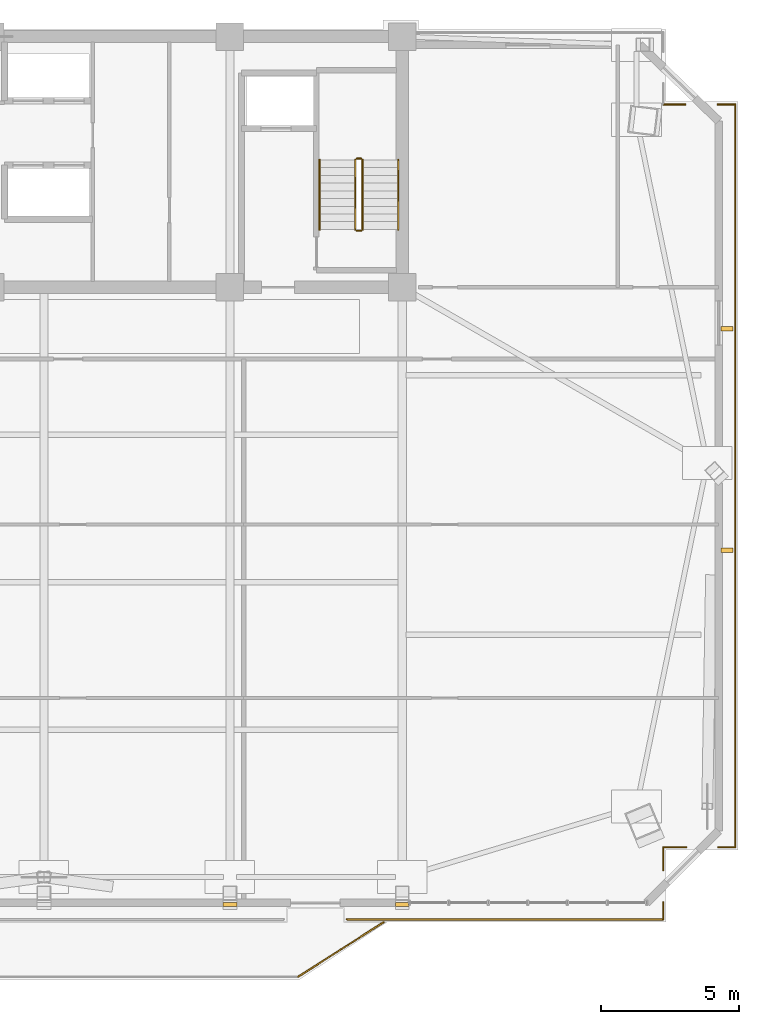
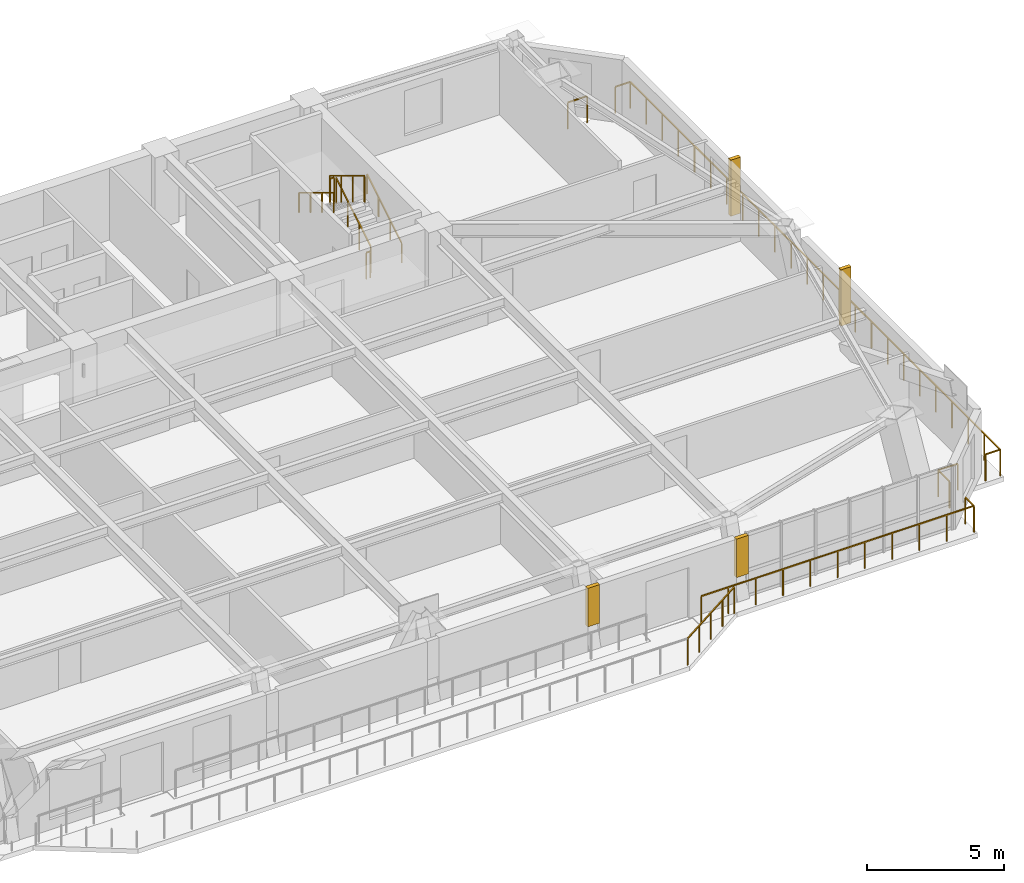
# One storey, part 15 of 16: 15 railings, 2 coverings, 2 shading devices.
"""IFC4 building model written with IfcOpenShell, lengths in metres."""

from ifc_helpers import new_model, si_unit, direction, frame, origin, origin_2d, place, context, subcontext, project, spatial, polyline, rectangle, outline, extrude, source, transform, mapped, material, layer, layer_set, type_object, element, save


model = new_model("IFC4")

# Units and contexts
model_context = context("Model", 3, precision=1e-05, world=origin(), true_north=direction((0.0, 1.0)))
body_context = subcontext(model_context, "Body", "Model", "MODEL_VIEW")
ifc_project = project(units=[si_unit("LENGTHUNIT", "METRE"), si_unit("AREAUNIT", "SQUARE_METRE"), si_unit("VOLUMEUNIT", "CUBIC_METRE"), si_unit("PLANEANGLEUNIT", "RADIAN"), si_unit("MASSUNIT", "GRAM", prefix="KILO")], contexts=[model_context])

# Site, building, storey
site_placement = place(None, origin())
site = spatial("IfcSite", under=ifc_project, at=site_placement, CompositionType="ELEMENT")
building_placement = place(site_placement, origin())
building = spatial("IfcBuilding", under=site, at=building_placement, Name="Giltprow Tower", CompositionType="ELEMENT")
storey_placement = place(building_placement, frame((0.0, 0.0, 255.300048828125)))
storey = spatial("IfcBuildingStorey", under=building, at=storey_placement, Name="L65", CompositionType="ELEMENT", Elevation=255.300048828125)

# Coverings
ifc_material = material(Name="Anodized bronze", Category="metal")
ifc_layer = layer(ifc_material, 0.0400390625, Name="Anodized bronze")
ifc_layer_set = layer_set([ifc_layer], Name="Anodized bronze")
covering_type = type_object("IfcCoveringType", Name="COV-SOFFIT-BRONZE", PredefinedType="CLADDING", material=ifc_layer_set)
covering_1_placement = place(storey_placement, frame((0.0, 0.0, 1.099853515625)))
element("IfcCovering", 1, at=covering_1_placement, inside=storey, type_object=covering_type, Name="L65 Setback Pier Closure Cladding S-4", PredefinedType="CLADDING", context=body_context, shape_type="SweptSolid", body=[
    extrude(outline(polyline([(44.050048828125, 14.972900390625), (44.550048828125, 14.972900390625), (44.550048828125, 15.133056640625), (44.050048828125, 15.133056640625), (44.050048828125, 14.972900390625)])), origin(), (0.0, 0.0, 1.0), 1.715087890625),
])
covering_2_placement = place(storey_placement, frame((0.0, 0.0, 1.099853515625)))
element("IfcCovering", 2, at=covering_2_placement, inside=storey, type_object=covering_type, Name="L65 Setback Pier Closure Cladding S-5", PredefinedType="CLADDING", context=body_context, shape_type="SweptSolid", body=[
    extrude(outline(polyline([(50.300048828125, 14.972900390625), (50.800048828125, 14.972900390625), (50.800048828125, 15.133056640625), (50.300048828125, 15.133056640625), (50.300048828125, 14.972900390625)])), origin(), (0.0, 0.0, 1.0), 1.715087890625),
])

# Railings
railing_type_1 = type_object("IfcRailingType", Name="RAIL-BALC-GUARD-1200", PredefinedType="BALUSTRADE", material=ifc_material)
railing_1_placement = place(storey_placement, frame((46.780029296875, 12.43310546875, 0.0)))
element("IfcRailing", 3, at=railing_1_placement, inside=storey, type_object=railing_type_1, Name="L65 Waterfront Balcony Balustrade Seg 3", PredefinedType="BALUSTRADE", context=body_context, shape_type="SweptSolid", body=[
    extrude(rectangle(XDim=0.048095703125, YDim=0.048095703125, at=origin_2d()), frame((0.0, 0.0, 1.17578125), z_axis=(0.842755646126, 0.538296313309, 0.0), x_axis=(-0.538296313309, 0.842755646126, 0.0)), (0.0, 0.0, 1.0), 3.67822265625),
    extrude(rectangle(XDim=0.0419921875, YDim=0.0419921875, at=origin_2d()), origin(), (0.0, 0.0, 1.0), 1.15185546875),
    extrude(rectangle(XDim=0.0419921875, YDim=0.0419921875, at=origin_2d()), frame((0.77490234375, 0.4951171875, 0.0)), (0.0, 0.0, 1.0), 1.15185546875),
    extrude(rectangle(XDim=0.0419921875, YDim=0.0419921875, at=origin_2d()), frame((1.5498046875, 0.989990234375, 0.0)), (0.0, 0.0, 1.0), 1.15185546875),
    extrude(rectangle(XDim=0.0419921875, YDim=0.0419921875, at=origin_2d()), frame((2.324951171875, 1.48486328125, 0.0)), (0.0, 0.0, 1.0), 1.15185546875),
    extrude(rectangle(XDim=0.0419921875, YDim=0.0419921875, at=origin_2d()), frame((3.099853515625, 1.97998046875, 0.0)), (0.0, 0.0, 1.0), 1.15185546875),
])
railing_2_placement = place(storey_placement, frame((62.636962890625, 44.083984375, 0.0)))
element("IfcRailing", 4, at=railing_2_placement, inside=storey, type_object=railing_type_1, Name="L65 Corner Apron Edge Balustrade 1", PredefinedType="BALUSTRADE", context=body_context, shape_type="SweptSolid", body=[
    extrude(rectangle(XDim=0.048095703125, YDim=0.048095703125, at=origin_2d()), frame((0.0, 0.0, 1.17578125), z_axis=(0.0, -1.0, 0.0), x_axis=(1.0, 0.0, 0.0)), (0.0, 0.0, 1.0), 26.9560546875),
    extrude(rectangle(XDim=0.0419921875, YDim=0.0419921875, at=origin_2d()), origin(), (0.0, 0.0, 1.0), 1.15185546875),
    extrude(rectangle(XDim=0.0419921875, YDim=0.0419921875, at=origin_2d()), frame((0.0, -1.172119140625, 0.0)), (0.0, 0.0, 1.0), 1.15185546875),
    extrude(rectangle(XDim=0.0419921875, YDim=0.0419921875, at=origin_2d()), frame((0.0, -2.343994140625, 0.0)), (0.0, 0.0, 1.0), 1.15185546875),
    extrude(rectangle(XDim=0.0419921875, YDim=0.0419921875, at=origin_2d()), frame((0.0, -3.51611328125, 0.0)), (0.0, 0.0, 1.0), 1.15185546875),
    extrude(rectangle(XDim=0.0419921875, YDim=0.0419921875, at=origin_2d()), frame((0.0, -4.68798828125, 0.0)), (0.0, 0.0, 1.0), 1.15185546875),
    extrude(rectangle(XDim=0.0419921875, YDim=0.0419921875, at=origin_2d()), frame((0.0, -5.860107421875, 0.0)), (0.0, 0.0, 1.0), 1.15185546875),
    extrude(rectangle(XDim=0.0419921875, YDim=0.0419921875, at=origin_2d()), frame((0.0, -7.031982421875, 0.0)), (0.0, 0.0, 1.0), 1.15185546875),
    extrude(rectangle(XDim=0.0419921875, YDim=0.0419921875, at=origin_2d()), frame((0.0, -8.2041015625, 0.0)), (0.0, 0.0, 1.0), 1.15185546875),
    extrude(rectangle(XDim=0.0419921875, YDim=0.0419921875, at=origin_2d()), frame((0.0, -9.3759765625, 0.0)), (0.0, 0.0, 1.0), 1.15185546875),
    extrude(rectangle(XDim=0.0419921875, YDim=0.0419921875, at=origin_2d()), frame((0.0, -10.548095703125, 0.0)), (0.0, 0.0, 1.0), 1.15185546875),
    extrude(rectangle(XDim=0.0419921875, YDim=0.0419921875, at=origin_2d()), frame((0.0, -11.719970703125, 0.0)), (0.0, 0.0, 1.0), 1.15185546875),
    extrude(rectangle(XDim=0.0419921875, YDim=0.0419921875, at=origin_2d()), frame((0.0, -12.89208984375, 0.0)), (0.0, 0.0, 1.0), 1.15185546875),
    extrude(rectangle(XDim=0.0419921875, YDim=0.0419921875, at=origin_2d()), frame((0.0, -14.06396484375, 0.0)), (0.0, 0.0, 1.0), 1.15185546875),
    extrude(rectangle(XDim=0.0419921875, YDim=0.0419921875, at=origin_2d()), frame((0.0, -15.236083984375, 0.0)), (0.0, 0.0, 1.0), 1.15185546875),
    extrude(rectangle(XDim=0.0419921875, YDim=0.0419921875, at=origin_2d()), frame((0.0, -16.407958984375, 0.0)), (0.0, 0.0, 1.0), 1.15185546875),
    extrude(rectangle(XDim=0.0419921875, YDim=0.0419921875, at=origin_2d()), frame((0.0, -17.580078125, 0.0)), (0.0, 0.0, 1.0), 1.15185546875),
    extrude(rectangle(XDim=0.0419921875, YDim=0.0419921875, at=origin_2d()), frame((0.0, -18.751953125, 0.0)), (0.0, 0.0, 1.0), 1.15185546875),
    extrude(rectangle(XDim=0.0419921875, YDim=0.0419921875, at=origin_2d()), frame((0.0, -19.924072265625, 0.0)), (0.0, 0.0, 1.0), 1.15185546875),
    extrude(rectangle(XDim=0.0419921875, YDim=0.0419921875, at=origin_2d()), frame((0.0, -21.095947265625, 0.0)), (0.0, 0.0, 1.0), 1.15185546875),
    extrude(rectangle(XDim=0.0419921875, YDim=0.0419921875, at=origin_2d()), frame((0.0, -22.26806640625, 0.0)), (0.0, 0.0, 1.0), 1.15185546875),
    extrude(rectangle(XDim=0.0419921875, YDim=0.0419921875, at=origin_2d()), frame((0.0, -23.43994140625, 0.0)), (0.0, 0.0, 1.0), 1.15185546875),
    extrude(rectangle(XDim=0.0419921875, YDim=0.0419921875, at=origin_2d()), frame((0.0, -24.612060546875, 0.0)), (0.0, 0.0, 1.0), 1.15185546875),
    extrude(rectangle(XDim=0.0419921875, YDim=0.0419921875, at=origin_2d()), frame((0.0, -25.783935546875, 0.0)), (0.0, 0.0, 1.0), 1.15185546875),
    extrude(rectangle(XDim=0.0419921875, YDim=0.0419921875, at=origin_2d()), frame((0.0, -26.9560546875, 0.0)), (0.0, 0.0, 1.0), 1.15185546875),
])
railing_3_placement = place(storey_placement, frame((62.636962890625, 17.1279296875, 0.0)))
element("IfcRailing", 5, at=railing_3_placement, inside=storey, type_object=railing_type_1, Name="L65 Corner Apron Edge Balustrade 2", PredefinedType="BALUSTRADE", context=body_context, shape_type="SweptSolid", body=[
    extrude(rectangle(XDim=0.048095703125, YDim=0.048095703125, at=origin_2d()), frame((0.0, 0.0, 1.17578125), z_axis=(-1.0, 0.0, 0.0), x_axis=(0.0, -1.0, 0.0)), (0.0, 0.0, 1.0), 0.619873046875),
    extrude(rectangle(XDim=0.0419921875, YDim=0.0419921875, at=origin_2d()), origin(), (0.0, 0.0, 1.0), 1.15185546875),
    extrude(rectangle(XDim=0.0419921875, YDim=0.0419921875, at=origin_2d()), frame((-0.619873046875, 0.0, 0.0)), (0.0, 0.0, 1.0), 1.15185546875),
])
railing_4_placement = place(storey_placement, frame((60.85693359375, 17.1279296875, 0.0)))
element("IfcRailing", 6, at=railing_4_placement, inside=storey, type_object=railing_type_1, Name="L65 Corner Apron Edge Balustrade 3", PredefinedType="BALUSTRADE", context=body_context, shape_type="SweptSolid", body=[
    extrude(rectangle(XDim=0.048095703125, YDim=0.048095703125, at=origin_2d()), frame((0.0, 0.0, 1.17578125), z_axis=(-1.0, 0.0, 0.0), x_axis=(0.0, -1.0, 0.0)), (0.0, 0.0, 1.0), 0.8349609375),
    extrude(rectangle(XDim=0.0419921875, YDim=0.0419921875, at=origin_2d()), origin(), (0.0, 0.0, 1.0), 1.15185546875),
    extrude(rectangle(XDim=0.0419921875, YDim=0.0419921875, at=origin_2d()), frame((-0.8349609375, 0.0, 0.0)), (0.0, 0.0, 1.0), 1.15185546875),
])
railing_5_placement = place(storey_placement, frame((60.02197265625, 17.1279296875, 0.0)))
element("IfcRailing", 7, at=railing_5_placement, inside=storey, type_object=railing_type_1, Name="L65 Corner Apron Edge Balustrade 4", PredefinedType="BALUSTRADE", context=body_context, shape_type="SweptSolid", body=[
    extrude(rectangle(XDim=0.048095703125, YDim=0.048095703125, at=origin_2d()), frame((0.0, 0.0, 1.17578125), z_axis=(0.0, -1.0, 0.0), x_axis=(1.0, 0.0, 0.0)), (0.0, 0.0, 1.0), 0.8349609375),
    extrude(rectangle(XDim=0.0419921875, YDim=0.0419921875, at=origin_2d()), origin(), (0.0, 0.0, 1.0), 1.15185546875),
    extrude(rectangle(XDim=0.0419921875, YDim=0.0419921875, at=origin_2d()), frame((0.0, -0.8349609375, 0.0)), (0.0, 0.0, 1.0), 1.15185546875),
])
railing_6_placement = place(storey_placement, frame((60.02197265625, 15.133056640625, 0.0)))
element("IfcRailing", 8, at=railing_6_placement, inside=storey, type_object=railing_type_1, Name="L65 Corner Apron Edge Balustrade 5", PredefinedType="BALUSTRADE", context=body_context, shape_type="SweptSolid", body=[
    extrude(rectangle(XDim=0.048095703125, YDim=0.048095703125, at=origin_2d()), frame((0.0, 0.0, 1.17578125), z_axis=(0.0, -1.0, 0.0), x_axis=(1.0, 0.0, 0.0)), (0.0, 0.0, 1.0), 0.6201171875),
    extrude(rectangle(XDim=0.0419921875, YDim=0.0419921875, at=origin_2d()), origin(), (0.0, 0.0, 1.0), 1.15185546875),
    extrude(rectangle(XDim=0.0419921875, YDim=0.0419921875, at=origin_2d()), frame((0.0, -0.6201171875, 0.0)), (0.0, 0.0, 1.0), 1.15185546875),
])
railing_7_placement = place(storey_placement, frame((60.02197265625, 14.512939453125, 0.0)))
element("IfcRailing", 9, at=railing_7_placement, inside=storey, type_object=railing_type_1, Name="L65 Corner Apron Edge Balustrade 6", PredefinedType="BALUSTRADE", context=body_context, shape_type="SweptSolid", body=[
    extrude(rectangle(XDim=0.048095703125, YDim=0.048095703125, at=origin_2d()), frame((0.0, 0.0, 1.17578125), z_axis=(-1.0, 0.0, 0.0), x_axis=(0.0, -1.0, 0.0)), (0.0, 0.0, 1.0), 11.471923828125),
    extrude(rectangle(XDim=0.0419921875, YDim=0.0419921875, at=origin_2d()), origin(), (0.0, 0.0, 1.0), 1.15185546875),
    extrude(rectangle(XDim=0.0419921875, YDim=0.0419921875, at=origin_2d()), frame((-1.147216796875, 0.0, 0.0)), (0.0, 0.0, 1.0), 1.15185546875),
    extrude(rectangle(XDim=0.0419921875, YDim=0.0419921875, at=origin_2d()), frame((-2.29443359375, 0.0, 0.0)), (0.0, 0.0, 1.0), 1.15185546875),
    extrude(rectangle(XDim=0.0419921875, YDim=0.0419921875, at=origin_2d()), frame((-3.441650390625, 0.0, 0.0)), (0.0, 0.0, 1.0), 1.15185546875),
    extrude(rectangle(XDim=0.0419921875, YDim=0.0419921875, at=origin_2d()), frame((-4.5888671875, 0.0, 0.0)), (0.0, 0.0, 1.0), 1.15185546875),
    extrude(rectangle(XDim=0.0419921875, YDim=0.0419921875, at=origin_2d()), frame((-5.73583984375, 0.0, 0.0)), (0.0, 0.0, 1.0), 1.15185546875),
    extrude(rectangle(XDim=0.0419921875, YDim=0.0419921875, at=origin_2d()), frame((-6.883056640625, 0.0, 0.0)), (0.0, 0.0, 1.0), 1.15185546875),
    extrude(rectangle(XDim=0.0419921875, YDim=0.0419921875, at=origin_2d()), frame((-8.0302734375, 0.0, 0.0)), (0.0, 0.0, 1.0), 1.15185546875),
    extrude(rectangle(XDim=0.0419921875, YDim=0.0419921875, at=origin_2d()), frame((-9.177490234375, 0.0, 0.0)), (0.0, 0.0, 1.0), 1.15185546875),
    extrude(rectangle(XDim=0.0419921875, YDim=0.0419921875, at=origin_2d()), frame((-10.32470703125, 0.0, 0.0)), (0.0, 0.0, 1.0), 1.15185546875),
    extrude(rectangle(XDim=0.0419921875, YDim=0.0419921875, at=origin_2d()), frame((-11.471923828125, 0.0, 0.0)), (0.0, 0.0, 1.0), 1.15185546875),
])
railing_8_placement = place(storey_placement, frame((60.02197265625, 44.083984375, 0.0)))
element("IfcRailing", 10, at=railing_8_placement, inside=storey, type_object=railing_type_1, Name="L65 Corner Apron Edge Balustrade 24", PredefinedType="BALUSTRADE", context=body_context, shape_type="SweptSolid", body=[
    extrude(rectangle(XDim=0.048095703125, YDim=0.048095703125, at=origin_2d()), frame((0.0, 0.0, 1.17578125), z_axis=(1.0, 0.0, 0.0), x_axis=(0.0, 1.0, 0.0)), (0.0, 0.0, 1.0), 0.803955078125),
    extrude(rectangle(XDim=0.0419921875, YDim=0.0419921875, at=origin_2d()), origin(), (0.0, 0.0, 1.0), 1.15185546875),
    extrude(rectangle(XDim=0.0419921875, YDim=0.0419921875, at=origin_2d()), frame((0.803955078125, 0.0, 0.0)), (0.0, 0.0, 1.0), 1.15185546875),
])
railing_9_placement = place(storey_placement, frame((62.007080078125, 44.083984375, 0.0)))
element("IfcRailing", 11, at=railing_9_placement, inside=storey, type_object=railing_type_1, Name="L65 Corner Apron Edge Balustrade 25", PredefinedType="BALUSTRADE", context=body_context, shape_type="SweptSolid", body=[
    extrude(rectangle(XDim=0.048095703125, YDim=0.048095703125, at=origin_2d()), frame((0.0, 0.0, 1.17578125), z_axis=(1.0, 0.0, 0.0), x_axis=(0.0, 1.0, 0.0)), (0.0, 0.0, 1.0), 0.6298828125),
    extrude(rectangle(XDim=0.0419921875, YDim=0.0419921875, at=origin_2d()), origin(), (0.0, 0.0, 1.0), 1.15185546875),
    extrude(rectangle(XDim=0.0419921875, YDim=0.0419921875, at=origin_2d()), frame((0.6298828125, 0.0, 0.0)), (0.0, 0.0, 1.0), 1.15185546875),
])
railing_type_2 = type_object("IfcRailingType", Name="RAIL-STAIR-GUARD-1200", PredefinedType="GUARDRAIL", material=ifc_material)
railing_10_placement = place(storey_placement, frame((49.110107421875, 39.550048828125, 0.169921875)))
element("IfcRailing", 12, at=railing_10_placement, inside=storey, type_object=railing_type_2, Name="L65 ST-3 stair guard 1", PredefinedType="GUARDRAIL", context=body_context, shape_type="SweptSolid", body=[
    extrude(rectangle(XDim=0.048095703125, YDim=0.048095703125, at=origin_2d()), frame((0.0, 0.0, 1.17578125), z_axis=(0.0, 0.85478489116, 0.518982456201), x_axis=(-1.0, 0.0, 0.0)), (0.0, 0.0, 1.0), 2.9482421875),
    extrude(rectangle(XDim=0.0419921875, YDim=0.0419921875, at=origin_2d()), origin(), (0.0, 0.0, 1.0), 1.15185546875),
    extrude(rectangle(XDim=0.0419921875, YDim=0.0419921875, at=origin_2d()), frame((0.0, 0.840087890625, 0.510009765625)), (0.0, 0.0, 1.0), 1.15185546875),
    extrude(rectangle(XDim=0.0419921875, YDim=0.0419921875, at=origin_2d()), frame((0.0, 1.679931640625, 1.02001953125)), (0.0, 0.0, 1.0), 1.15185546875),
    extrude(rectangle(XDim=0.0419921875, YDim=0.0419921875, at=origin_2d()), frame((0.0, 2.52001953125, 1.530029296875)), (0.0, 0.0, 1.0), 1.15185546875),
])
railing_11_placement = place(storey_placement, frame((49.06005859375, 42.1201171875, 1.699951171875)))
element("IfcRailing", 13, at=railing_11_placement, inside=storey, type_object=railing_type_2, Name="L65 ST-3 stair guard 2", PredefinedType="GUARDRAIL", context=body_context, shape_type="SweptSolid", body=[
    extrude(rectangle(XDim=0.048095703125, YDim=0.048095703125, at=origin_2d()), frame((0.0, 0.0, 1.17578125), z_axis=(-1.0, 0.0, 0.0), x_axis=(0.0, -1.0, 0.0)), (0.0, 0.0, 1.0), 0.16015625),
    extrude(rectangle(XDim=0.0419921875, YDim=0.0419921875, at=origin_2d()), origin(), (0.0, 0.0, 1.0), 1.15185546875),
    extrude(rectangle(XDim=0.0419921875, YDim=0.0419921875, at=origin_2d()), frame((-0.16015625, 0.0, 0.0)), (0.0, 0.0, 1.0), 1.15185546875),
])
railing_12_placement = place(storey_placement, frame((48.85009765625, 42.070068359375, 1.869873046875)))
element("IfcRailing", 14, at=railing_12_placement, inside=storey, type_object=railing_type_2, Name="L65 ST-3 stair guard 3", PredefinedType="GUARDRAIL", context=body_context, shape_type="SweptSolid", body=[
    extrude(rectangle(XDim=0.048095703125, YDim=0.048095703125, at=origin_2d()), frame((0.0, 0.0, 1.17578125), z_axis=(0.0, -0.85478489116, 0.518982456201), x_axis=(1.0, 0.0, 0.0)), (0.0, 0.0, 1.0), 2.9482421875),
    extrude(rectangle(XDim=0.0419921875, YDim=0.0419921875, at=origin_2d()), origin(), (0.0, 0.0, 1.0), 1.15185546875),
    extrude(rectangle(XDim=0.0419921875, YDim=0.0419921875, at=origin_2d()), frame((0.0, -0.840087890625, 0.510009765625)), (0.0, 0.0, 1.0), 1.15185546875),
    extrude(rectangle(XDim=0.0419921875, YDim=0.0419921875, at=origin_2d()), frame((0.0, -1.679931640625, 1.02001953125)), (0.0, 0.0, 1.0), 1.15185546875),
    extrude(rectangle(XDim=0.0419921875, YDim=0.0419921875, at=origin_2d()), frame((0.0, -2.52001953125, 1.530029296875)), (0.0, 0.0, 1.0), 1.15185546875),
])
railing_13_placement = place(storey_placement, frame((49.06005859375, 39.5, 0.0)))
element("IfcRailing", 15, at=railing_13_placement, inside=storey, type_object=railing_type_2, Name="L65 ST-3 stair guard 4", PredefinedType="GUARDRAIL", context=body_context, shape_type="SweptSolid", body=[
    extrude(rectangle(XDim=0.048095703125, YDim=0.048095703125, at=origin_2d()), frame((0.0, 0.0, 1.17578125), z_axis=(-1.0, 0.0, 0.0), x_axis=(0.0, -1.0, 0.0)), (0.0, 0.0, 1.0), 0.16015625),
    extrude(rectangle(XDim=0.0419921875, YDim=0.0419921875, at=origin_2d()), origin(), (0.0, 0.0, 1.0), 1.15185546875),
    extrude(rectangle(XDim=0.0419921875, YDim=0.0419921875, at=origin_2d()), frame((-0.16015625, 0.0, 0.0)), (0.0, 0.0, 1.0), 1.15185546875),
])
railing_type_3 = type_object("IfcRailingType", Name="RAIL-STAIR-HAND-900", PredefinedType="HANDRAIL", material=ifc_material)
railing_14_placement = place(storey_placement, frame((50.409912109375, 39.550048828125, 0.169921875)))
element("IfcRailing", 16, at=railing_14_placement, inside=storey, type_object=railing_type_3, Name="L65 ST-3 stair handrail 1", PredefinedType="HANDRAIL", context=body_context, shape_type="SweptSolid", body=[
    extrude(rectangle(XDim=0.048095703125, YDim=0.048095703125, at=origin_2d()), frame((0.0, 0.0, 0.8759765625), z_axis=(0.0, 0.85478489116, 0.518982456201), x_axis=(-1.0, 0.0, 0.0)), (0.0, 0.0, 1.0), 2.9482421875),
    extrude(rectangle(XDim=0.0419921875, YDim=0.0419921875, at=origin_2d()), origin(), (0.0, 0.0, 1.0), 0.851806640625),
    extrude(rectangle(XDim=0.0419921875, YDim=0.0419921875, at=origin_2d()), frame((0.0, 0.840087890625, 0.510009765625)), (0.0, 0.0, 1.0), 0.851806640625),
    extrude(rectangle(XDim=0.0419921875, YDim=0.0419921875, at=origin_2d()), frame((0.0, 1.679931640625, 1.02001953125)), (0.0, 0.0, 1.0), 0.851806640625),
    extrude(rectangle(XDim=0.0419921875, YDim=0.0419921875, at=origin_2d()), frame((0.0, 2.52001953125, 1.530029296875)), (0.0, 0.0, 1.0), 0.851806640625),
])
railing_15_placement = place(storey_placement, frame((47.550048828125, 42.070068359375, 1.869873046875)))
element("IfcRailing", 17, at=railing_15_placement, inside=storey, type_object=railing_type_3, Name="L65 ST-3 stair handrail 2", PredefinedType="HANDRAIL", context=body_context, shape_type="SweptSolid", body=[
    extrude(rectangle(XDim=0.048095703125, YDim=0.048095703125, at=origin_2d()), frame((0.0, 0.0, 0.8759765625), z_axis=(0.0, -0.85478489116, 0.518982456201), x_axis=(1.0, 0.0, 0.0)), (0.0, 0.0, 1.0), 2.9482421875),
    extrude(rectangle(XDim=0.0419921875, YDim=0.0419921875, at=origin_2d()), origin(), (0.0, 0.0, 1.0), 0.851806640625),
    extrude(rectangle(XDim=0.0419921875, YDim=0.0419921875, at=origin_2d()), frame((0.0, -0.840087890625, 0.510009765625)), (0.0, 0.0, 1.0), 0.851806640625),
    extrude(rectangle(XDim=0.0419921875, YDim=0.0419921875, at=origin_2d()), frame((0.0, -1.679931640625, 1.02001953125)), (0.0, 0.0, 1.0), 0.851806640625),
    extrude(rectangle(XDim=0.0419921875, YDim=0.0419921875, at=origin_2d()), frame((0.0, -2.52001953125, 1.530029296875)), (0.0, 0.0, 1.0), 0.851806640625),
])

# Shading devices
shading_device_type = type_object("IfcShadingDeviceType", Name="SHD-FIN-420", PredefinedType="USERDEFINED", material=ifc_material)
shared_shape = source(origin(), body_context, "Body", "SweptSolid", [
    extrude(rectangle(XDim=0.419921875, YDim=0.159912109375, at=origin_2d()), origin(), (0.0, 0.0, 1.0), 2.5),
])
for number, where, z_axis, x_axis, name in (
    (18, (62.3369140625, 27.909912109375, 0.349853515625), (0.0, 0.0, 1.0), (1.0, 0.0, 0.0), "L65 E Bronze Vertical Fin 1-1"),
    (19, (62.3369140625, 35.950927734375, 0.349853515625), (0.0, 0.0, 1.0), (1.0, 0.0, 0.0), "L65 E Bronze Vertical Fin 2-1"),
):
    element("IfcShadingDevice", number, at=place(storey_placement, frame(where, z_axis=z_axis, x_axis=x_axis)), inside=storey, type_object=shading_device_type, Name=name, ObjectType="FIN", PredefinedType="USERDEFINED", context=body_context, shape_type="MappedRepresentation", body=[
        mapped(shared_shape, transform((0.0, 0.0, 0.0), x_axis=(1.0, 0.0, 0.0), y_axis=(0.0, 1.0, 0.0), z_axis=(0.0, 0.0, 1.0), scale=1.0)),
    ])

save(model, "model.ifc")
